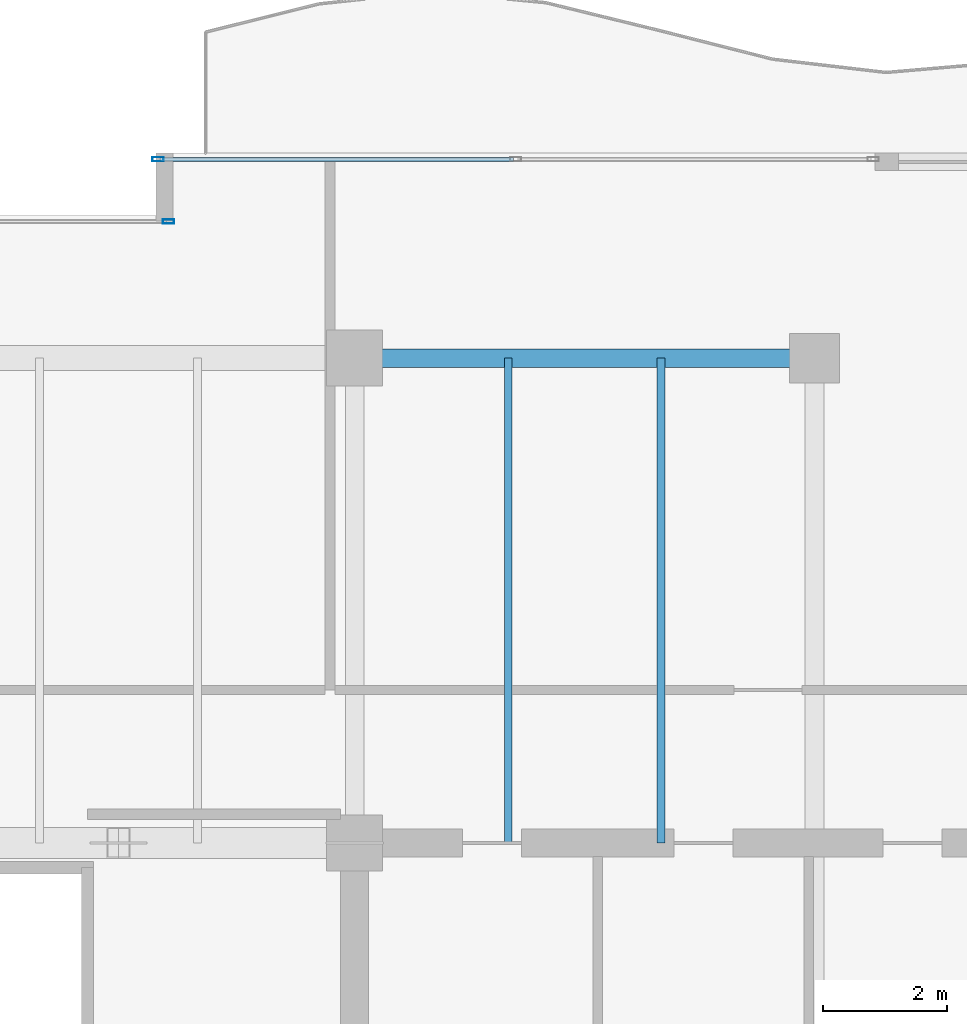
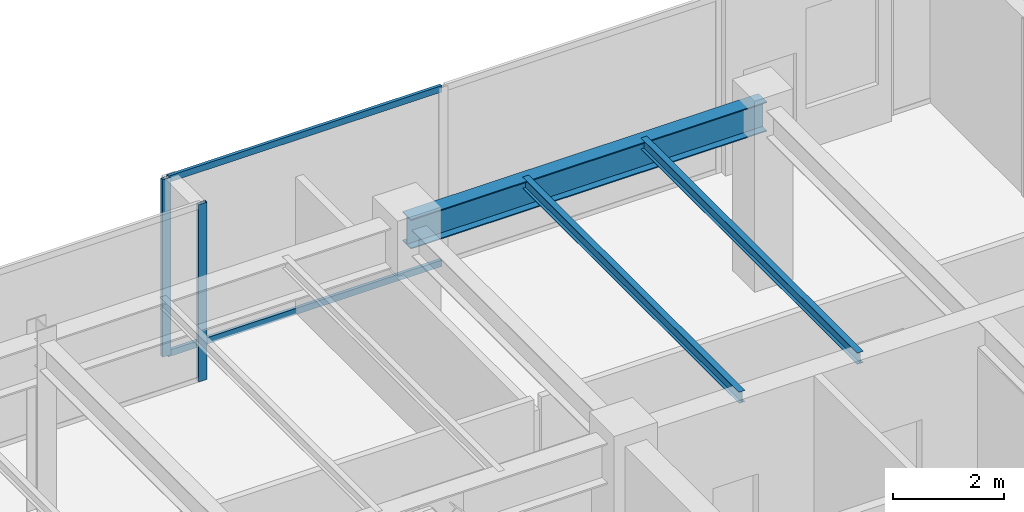
# One storey, part 22 of 31: 4 members, 3 beams, 2 elements without a shape of their own.
"""IFC4 building model written with IfcOpenShell, lengths in metres."""

from ifc_helpers import new_model, si_unit, direction, frame, origin, origin_2d, place, context, subcontext, project, spatial, hollow_rectangle, i_section, extrude, source, transform, mapped, material, layer, layer_set, material_profile, profile_set, type_object, type_shapes, element, aggregate, save


model = new_model("IFC4")

# Units and contexts
model_context = context("Model", 3, precision=1e-05, world=origin(), true_north=direction((0.0, 1.0)))
body_context = subcontext(model_context, "Body", "Model", "MODEL_VIEW")
ifc_project = project(units=[si_unit("LENGTHUNIT", "METRE"), si_unit("AREAUNIT", "SQUARE_METRE"), si_unit("VOLUMEUNIT", "CUBIC_METRE"), si_unit("PLANEANGLEUNIT", "RADIAN"), si_unit("MASSUNIT", "GRAM", prefix="KILO")], contexts=[model_context])

# Site, building, storey
site_placement = place(None, origin())
site = spatial("IfcSite", under=ifc_project, at=site_placement, CompositionType="ELEMENT")
building_placement = place(site_placement, origin())
building = spatial("IfcBuilding", under=site, at=building_placement, Name="Haelvirn Gate Laboratories", CompositionType="ELEMENT")
storey_placement = place(building_placement, frame((0.0, 0.0, 310.199951171875)))
storey = spatial("IfcBuildingStorey", under=building, at=storey_placement, Name="L74", CompositionType="ELEMENT", Elevation=310.199951171875)

# Beams
ifc_material_1 = material(Name="Steel SM355", Category="steel")
ifc_material_profile_1 = material_profile(ifc_material_1, i_section(OverallWidth=0.300048828125, OverallDepth=0.64990234375, WebThickness=0.012939453125, FlangeThickness=0.02197265625, at=origin_2d()), Name="H-650x300x13x22")
ifc_profile_set_1 = profile_set([ifc_material_profile_1], Name="Steel SM355")
beam_type_1 = type_object("IfcBeamType", Name="BM-G-650", PredefinedType="BEAM", material=ifc_profile_set_1)
shared_shape_1 = source(origin(), body_context, "Body", "SweptSolid", [
    extrude(i_section(OverallWidth=0.300048828125, OverallDepth=0.64990234375, WebThickness=0.012939453125, FlangeThickness=0.02197265625, at=origin_2d()), origin(), (0.0, 0.0, 1.0), 7.39990234375),
])
type_shapes(beam_type_1, [shared_shape_1])
beam_placement = place(storey_placement, frame((52.60009765625, 41.60009765625, 3.574951171875), z_axis=(1.0, 0.0, 0.0), x_axis=(0.0, 1.0, 0.0)))
element("IfcBeam", 1, at=beam_placement, inside=storey, type_object=beam_type_1, Name="L74 Primary Girder Y41.6 (52.6-60.0)", PredefinedType="BEAM", context=body_context, shape_type="MappedRepresentation", body=[
    mapped(shared_shape_1, transform((0.0, 0.0, 0.0), scale=1.0)),
])
ifc_material_profile_2 = material_profile(ifc_material_1, i_section(OverallWidth=0.125, OverallDepth=0.25, WebThickness=0.006103515625, FlangeThickness=0.009033203125, at=origin_2d()), Name="H-250x125x6x9")
ifc_profile_set_2 = profile_set([ifc_material_profile_2], Name="Steel SM355")
beam_type_2 = type_object("IfcBeamType", Name="BM-J-250", PredefinedType="JOIST", material=ifc_profile_set_2)
shared_shape_2 = source(origin(), body_context, "Body", "SweptSolid", [
    extrude(i_section(OverallWidth=0.125, OverallDepth=0.25, WebThickness=0.006103515625, FlangeThickness=0.009033203125, at=origin_2d()), origin(), (0.0, 0.0, 1.0), 7.800048828125),
])
type_shapes(beam_type_2, [shared_shape_2])
for number, where, z_axis, x_axis, name in (
    (2, (55.070068359375, 33.800048828125, 3.775146484375), (0.0, 1.0, 0.0), (-1.0, 0.0, 0.0), "L74 Composite Lab Joist North X55.07"),
    (3, (57.530029296875, 33.800048828125, 3.775146484375), (0.0, 1.0, 0.0), (-1.0, 0.0, 0.0), "L74 Composite Lab Joist North X57.53"),
):
    element("IfcBeam", number, at=place(storey_placement, frame(where, z_axis=z_axis, x_axis=x_axis)), inside=storey, type_object=beam_type_2, Name=name, PredefinedType="JOIST", context=body_context, shape_type="MappedRepresentation", body=[
        mapped(shared_shape_2, transform((0.0, 0.0, 0.0), scale=1.0)),
    ])

# Curtain wall, member
ifc_material_2 = material(Name="Anodised bronze unitised aluminium & triple low-E glass", Category="aluminium")
ifc_layer = layer(ifc_material_2, 0.176025390625, Name="CW-SYS-4")
ifc_layer_set = layer_set([ifc_layer], Name="Anodised bronze unitised aluminium & triple low-E glass")
curtain_wall_type = type_object("IfcCurtainWallType", Name="CW-SYS-4", PredefinedType="NOTDEFINED", material=ifc_layer_set)
curtain_wall_1_placement = place(storey_placement, origin())
curtain_wall_1 = element("IfcCurtainWall", 4, at=curtain_wall_1_placement, inside=storey, type_object=curtain_wall_type, Name="L74 Unitised Curtain Wall CW-L74-P0-E10-1", PredefinedType="NOTDEFINED")
ifc_material_3 = material(Name="Extruded aluminium 6063-T6 (anodised bronze)", Category="aluminium")
ifc_material_profile_3 = material_profile(ifc_material_3, hollow_rectangle(XDim=0.070068359375, YDim=0.179931640625, WallThickness=0.0048828125, at=origin_2d()), Name="CWM-180x70x5")
ifc_profile_set_3 = profile_set([ifc_material_profile_3], Name="Extruded aluminium 6063-T6 (anodised bronze)")
member_type_1 = type_object("IfcMemberType", Name="CWM-T180", PredefinedType="MULLION", material=ifc_profile_set_3)
shared_shape_3 = source(origin(), body_context, "Body", "SweptSolid", [
    extrude(hollow_rectangle(XDim=0.070068359375, YDim=0.179931640625, WallThickness=0.0048828125, at=origin_2d()), origin(), (0.0, 0.0, 1.0), 3.900146484375),
])
type_shapes(member_type_1, [shared_shape_3])
member_1_placement = place(storey_placement, frame((49.43505859375, 44.800048828125, 0.0), z_axis=(0.0, 0.0, 1.0), x_axis=(0.0, 1.0, 0.0)))
member_1 = element("IfcMember", 5, at=member_1_placement, type_object=member_type_1, Name="CW4 mullion 1", PredefinedType="MULLION", context=body_context, shape_type="MappedRepresentation", body=[
    mapped(shared_shape_3, transform((0.0, 0.0, 0.0), scale=1.0)),
])

curtain_wall_2_placement = place(storey_placement, origin())
curtain_wall_2 = element("IfcCurtainWall", 6, at=curtain_wall_2_placement, inside=storey, type_object=curtain_wall_type, Name="L74 Unitised Curtain Wall CW-L74-P0-E12-1", PredefinedType="NOTDEFINED")
member_2_placement = place(storey_placement, frame((49.60498046875, 43.800048828125, 0.0), z_axis=(0.0, 0.0, 1.0), x_axis=(0.0, 1.0, 0.0)))
member_2 = element("IfcMember", 7, at=member_2_placement, type_object=member_type_1, Name="CW4 mullion 3", PredefinedType="MULLION", context=body_context, shape_type="MappedRepresentation", body=[
    mapped(shared_shape_3, transform((0.0, 0.0, 0.0), scale=1.0)),
])
aggregate(curtain_wall_2, [member_2])

# Member
ifc_material_profile_4 = material_profile(ifc_material_3, hollow_rectangle(XDim=0.06494140625, YDim=0.139892578125, WallThickness=0.00390625, at=origin_2d()), Name="CWT-140x65x4")
ifc_profile_set_4 = profile_set([ifc_material_profile_4], Name="Extruded aluminium 6063-T6 (anodised bronze)")
member_type_2 = type_object("IfcMemberType", Name="CWT-T140", PredefinedType="USERDEFINED", material=ifc_profile_set_4)
shared_shape_4 = source(origin(), body_context, "Body", "SweptSolid", [
    extrude(hollow_rectangle(XDim=0.06494140625, YDim=0.139892578125, WallThickness=0.00390625, at=origin_2d()), origin(), (0.0, 0.0, 1.0), 5.68505859375),
])
type_shapes(member_type_2, [shared_shape_4])
member_3_placement = place(storey_placement, frame((49.469970703125, 44.800048828125, 0.032470703125), z_axis=(1.0, 0.0, 0.0), x_axis=(0.0, 1.0, 0.0)))
member_3 = element("IfcMember", 8, at=member_3_placement, type_object=member_type_2, Name="CW4 transom 1.1", ObjectType="TRANSOM", PredefinedType="USERDEFINED", context=body_context, shape_type="MappedRepresentation", body=[
    mapped(shared_shape_4, transform((0.0, 0.0, 0.0), scale=1.0)),
])

member_4_placement = place(storey_placement, frame((49.469970703125, 44.800048828125, 3.867431640625), z_axis=(1.0, 0.0, 0.0), x_axis=(0.0, 1.0, 0.0)))
member_4 = element("IfcMember", 9, at=member_4_placement, type_object=member_type_2, Name="CW4 transom 1.2", ObjectType="TRANSOM", PredefinedType="USERDEFINED", context=body_context, shape_type="MappedRepresentation", body=[
    mapped(shared_shape_4, transform((0.0, 0.0, 0.0), scale=1.0)),
])

aggregate(curtain_wall_1, [member_1, member_3, member_4])

save(model, "model.ifc")
